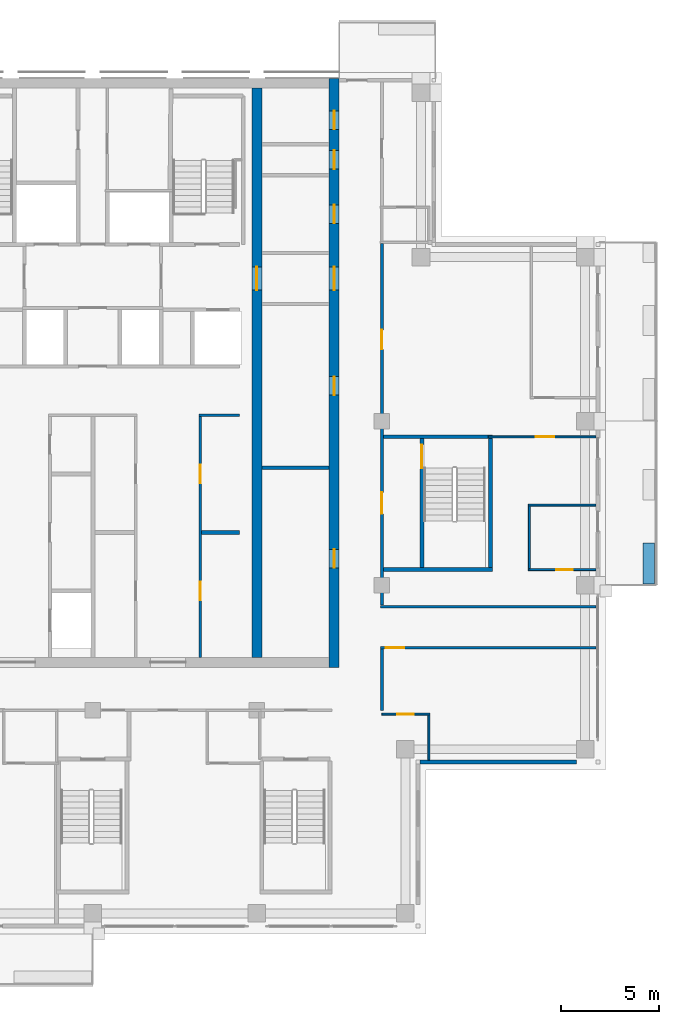
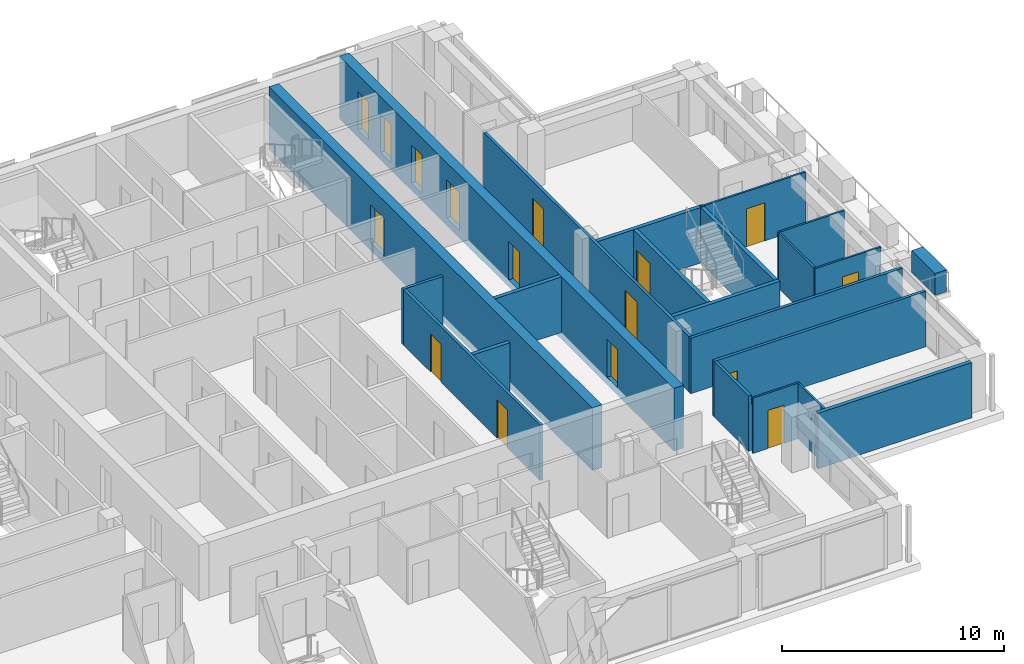
# One storey, part 9 of 16: 22 walls, 16 doors, 16 openings.
"""IFC4 building model written with IfcOpenShell, lengths in metres."""

from ifc_helpers import new_model, si_unit, direction, frame, frame_2d, origin, place, context, subcontext, project, spatial, rectangle, extrude, material, layer, layer_set, type_object, element, fill, save


model = new_model("IFC4")

# Units and contexts
model_context = context("Model", 3, precision=1e-05, world=origin(), true_north=direction((0.0, 1.0)))
body_context = subcontext(model_context, "Body", "Model", "MODEL_VIEW")
ifc_project = project(units=[si_unit("LENGTHUNIT", "METRE"), si_unit("AREAUNIT", "SQUARE_METRE"), si_unit("VOLUMEUNIT", "CUBIC_METRE"), si_unit("PLANEANGLEUNIT", "RADIAN"), si_unit("MASSUNIT", "GRAM", prefix="KILO")], contexts=[model_context])

# Site, building, storey
site_placement = place(None, origin())
site = spatial("IfcSite", under=ifc_project, at=site_placement, CompositionType="ELEMENT")
building_placement = place(site_placement, origin())
building = spatial("IfcBuilding", under=site, at=building_placement, Name="Vermilion Ogive Tower", CompositionType="ELEMENT")
storey_placement = place(building_placement, frame((0.0, 0.0, 251.050048828125)))
storey = spatial("IfcBuildingStorey", under=building, at=storey_placement, Name="L66", CompositionType="ELEMENT", Elevation=251.050048828125)

# Wall, openings, doors
ifc_material_1 = material(Name="Concrete B60", Category="concrete")
ifc_layer_1 = layer(ifc_material_1, 0.5)
ifc_layer_set_1 = layer_set([ifc_layer_1], Name="Core wall 500 B60")
wall_type_1 = type_object("IfcWallType", Name="Core wall 500 B60", PredefinedType="SHEAR", material=ifc_layer_set_1)
wall_1_placement = place(storey_placement, frame((12.35009765625, -8.39990234375, -0.400146484375), z_axis=(0.0, 0.0, 1.0), x_axis=(0.0, 1.0, 0.0)))
wall_1 = element("IfcWall", 1, at=wall_1_placement, inside=storey, type_object=wall_type_1, Name="L66-CORE-E", PredefinedType="SHEAR", context=body_context, shape_type="SweptSolid", body=[
    extrude(rectangle(XDim=30.14990234375, YDim=0.5, at=frame_2d((15.074951171875, 0.0))), origin(), (0.0, 0.0, 1.0), 3.4501953125),
])
opening_1_placement = place(wall_1_placement, frame((5.0830078125, 0.0, 0.39990234375)))
opening_1 = element("IfcOpeningElement", 2, at=opening_1_placement, cuts=wall_1, Name="Opening DAC117", PredefinedType="OPENING", context=body_context, shape_type="SweptSolid", body=[
    extrude(rectangle(XDim=0.949951171875, YDim=2.10009765625, at=frame_2d((0.47509765625, 1.050048828125))), frame((0.0, 0.260009765625, 0.0), z_axis=(0.0, -1.0, 0.0), x_axis=(1.0, 0.0, 0.0)), (0.0, 0.0, 1.0), 0.52001953125),
])
opening_2_placement = place(wall_1_placement, frame((13.932861328125, 0.0, 0.39990234375)))
opening_2 = element("IfcOpeningElement", 3, at=opening_2_placement, cuts=wall_1, Name="Opening DAC118", PredefinedType="OPENING", context=body_context, shape_type="SweptSolid", body=[
    extrude(rectangle(XDim=0.949951171875, YDim=2.10009765625, at=frame_2d((0.47509765625, 1.050048828125))), frame((0.0, 0.260009765625, 0.0), z_axis=(0.0, -1.0, 0.0), x_axis=(1.0, 0.0, 0.0)), (0.0, 0.0, 1.0), 0.52001953125),
])
opening_3_placement = place(wall_1_placement, frame((22.718994140625, 0.0, 0.39990234375)))
opening_3 = element("IfcOpeningElement", 4, at=opening_3_placement, cuts=wall_1, Name="Opening DAC119", PredefinedType="OPENING", context=body_context, shape_type="SweptSolid", body=[
    extrude(rectangle(XDim=0.949951171875, YDim=2.10009765625, at=frame_2d((0.47509765625, 1.050048828125))), frame((0.0, 0.260009765625, 0.0), z_axis=(0.0, -1.0, 0.0), x_axis=(1.0, 0.0, 0.0)), (0.0, 0.0, 1.0), 0.52001953125),
])
opening_4_placement = place(wall_1_placement, frame((25.505615234375, 0.0, 0.39990234375)))
opening_4 = element("IfcOpeningElement", 5, at=opening_4_placement, cuts=wall_1, Name="Opening DAC120", PredefinedType="OPENING", context=body_context, shape_type="SweptSolid", body=[
    extrude(rectangle(XDim=0.949951171875, YDim=2.10009765625, at=frame_2d((0.47509765625, 1.050048828125))), frame((0.0, 0.260009765625, 0.0), z_axis=(0.0, -1.0, 0.0), x_axis=(1.0, 0.0, 0.0)), (0.0, 0.0, 1.0), 0.52001953125),
])
opening_5_placement = place(wall_1_placement, frame((27.53662109375, 0.0, 0.39990234375)))
opening_5 = element("IfcOpeningElement", 6, at=opening_5_placement, cuts=wall_1, Name="Opening DAC121", PredefinedType="OPENING", context=body_context, shape_type="SweptSolid", body=[
    extrude(rectangle(XDim=0.949951171875, YDim=2.10009765625, at=frame_2d((0.47509765625, 1.050048828125))), frame((0.0, 0.260009765625, 0.0), z_axis=(0.0, -1.0, 0.0), x_axis=(1.0, 0.0, 0.0)), (0.0, 0.0, 1.0), 0.52001953125),
])
opening_6_placement = place(wall_1_placement, frame((19.300048828125, 0.0, 0.39990234375)))
opening_6 = element("IfcOpeningElement", 7, at=opening_6_placement, cuts=wall_1, Name="Opening DAL027", PredefinedType="OPENING", context=body_context, shape_type="SweptSolid", body=[
    extrude(rectangle(XDim=1.199951171875, YDim=2.10009765625, at=frame_2d((0.60009765625, 1.050048828125))), frame((0.0, 0.260009765625, 0.0), z_axis=(0.0, -1.0, 0.0), x_axis=(1.0, 0.0, 0.0)), (0.0, 0.0, 1.0), 0.52001953125),
])
ifc_material_2 = material(Name="Timber door leaf", Category="wood")
door_type_1 = type_object("IfcDoorType", Name="Link door 1200 x 2100 FD60S", OperationType="SINGLE_SWING_LEFT", PredefinedType="DOOR", material=ifc_material_2)
door_1_placement = place(opening_6_placement, origin())
door_1 = element("IfcDoor", 8, at=door_1_placement, inside=storey, type_object=door_type_1, Name="L66-CKE-XL", OperationType="SINGLE_SWING_LEFT", OverallHeight=2.10009765625, OverallWidth=1.199951171875, PredefinedType="DOOR", context=body_context, shape_type="SweptSolid", body=[
    extrude(rectangle(XDim=1.199951171875, YDim=2.10009765625, at=frame_2d((0.60009765625, 1.050048828125))), frame((0.0, 0.02490234375, 0.0), z_axis=(0.0, -1.0, 0.0), x_axis=(1.0, 0.0, 0.0)), (0.0, 0.0, 1.0), 0.050048828125),
])
fill(opening_6, door_1)
ifc_material_3 = material(Name="Timber door leaf", Category="wood")
door_type_2 = type_object("IfcDoorType", Name="Service door 950 x 2100 FD60", OperationType="SINGLE_SWING_LEFT", PredefinedType="DOOR", material=ifc_material_3)
door_2_placement = place(opening_1_placement, origin())
door_2 = element("IfcDoor", 9, at=door_2_placement, inside=storey, type_object=door_type_2, Name="L66-CKE-XR0", OperationType="SINGLE_SWING_LEFT", OverallHeight=2.10009765625, OverallWidth=0.949951171875, PredefinedType="DOOR", context=body_context, shape_type="SweptSolid", body=[
    extrude(rectangle(XDim=0.949951171875, YDim=2.10009765625, at=frame_2d((0.47509765625, 1.050048828125))), frame((0.0, 0.02490234375, 0.0), z_axis=(0.0, -1.0, 0.0), x_axis=(1.0, 0.0, 0.0)), (0.0, 0.0, 1.0), 0.050048828125),
])
fill(opening_1, door_2)
door_3_placement = place(opening_2_placement, origin())
door_3 = element("IfcDoor", 10, at=door_3_placement, inside=storey, type_object=door_type_2, Name="L66-CKE-XR1", OperationType="SINGLE_SWING_LEFT", OverallHeight=2.10009765625, OverallWidth=0.949951171875, PredefinedType="DOOR", context=body_context, shape_type="SweptSolid", body=[
    extrude(rectangle(XDim=0.949951171875, YDim=2.10009765625, at=frame_2d((0.47509765625, 1.050048828125))), frame((0.0, 0.02490234375, 0.0), z_axis=(0.0, -1.0, 0.0), x_axis=(1.0, 0.0, 0.0)), (0.0, 0.0, 1.0), 0.050048828125),
])
fill(opening_2, door_3)
door_4_placement = place(opening_3_placement, origin())
door_4 = element("IfcDoor", 11, at=door_4_placement, inside=storey, type_object=door_type_2, Name="L66-CKE-XR2", OperationType="SINGLE_SWING_LEFT", OverallHeight=2.10009765625, OverallWidth=0.949951171875, PredefinedType="DOOR", context=body_context, shape_type="SweptSolid", body=[
    extrude(rectangle(XDim=0.949951171875, YDim=2.10009765625, at=frame_2d((0.47509765625, 1.050048828125))), frame((0.0, 0.02490234375, 0.0), z_axis=(0.0, -1.0, 0.0), x_axis=(1.0, 0.0, 0.0)), (0.0, 0.0, 1.0), 0.050048828125),
])
fill(opening_3, door_4)
door_5_placement = place(opening_4_placement, origin())
door_5 = element("IfcDoor", 12, at=door_5_placement, inside=storey, type_object=door_type_2, Name="L66-CKE-XR3", OperationType="SINGLE_SWING_LEFT", OverallHeight=2.10009765625, OverallWidth=0.949951171875, PredefinedType="DOOR", context=body_context, shape_type="SweptSolid", body=[
    extrude(rectangle(XDim=0.949951171875, YDim=2.10009765625, at=frame_2d((0.47509765625, 1.050048828125))), frame((0.0, 0.02490234375, 0.0), z_axis=(0.0, -1.0, 0.0), x_axis=(1.0, 0.0, 0.0)), (0.0, 0.0, 1.0), 0.050048828125),
])
fill(opening_4, door_5)
door_6_placement = place(opening_5_placement, origin())
door_6 = element("IfcDoor", 13, at=door_6_placement, inside=storey, type_object=door_type_2, Name="L66-CKE-XR4", OperationType="SINGLE_SWING_LEFT", OverallHeight=2.10009765625, OverallWidth=0.949951171875, PredefinedType="DOOR", context=body_context, shape_type="SweptSolid", body=[
    extrude(rectangle(XDim=0.949951171875, YDim=2.10009765625, at=frame_2d((0.47509765625, 1.050048828125))), frame((0.0, 0.02490234375, 0.0), z_axis=(0.0, -1.0, 0.0), x_axis=(1.0, 0.0, 0.0)), (0.0, 0.0, 1.0), 0.050048828125),
])
fill(opening_5, door_6)

# Wall, opening, door
wall_2_placement = place(storey_placement, frame((8.39990234375, -7.89990234375, -0.400146484375), z_axis=(0.0, 0.0, 1.0), x_axis=(0.0, 1.0, 0.0)))
wall_2 = element("IfcWall", 14, at=wall_2_placement, inside=storey, type_object=wall_type_1, Name="L66-CORE-WEB2", PredefinedType="SHEAR", context=body_context, shape_type="SweptSolid", body=[
    extrude(rectangle(XDim=29.14990234375, YDim=0.5, at=frame_2d((14.574951171875, 0.0))), origin(), (0.0, 0.0, 1.0), 3.4501953125),
])
opening_7_placement = place(wall_2_placement, frame((18.800048828125, 0.0, 0.39990234375)))
opening_7 = element("IfcOpeningElement", 15, at=opening_7_placement, cuts=wall_2, Name="Opening DAO022", PredefinedType="OPENING", context=body_context, shape_type="SweptSolid", body=[
    extrude(rectangle(XDim=1.199951171875, YDim=2.10009765625, at=frame_2d((0.60009765625, 1.050048828125))), frame((0.0, 0.260009765625, 0.0), z_axis=(0.0, -1.0, 0.0), x_axis=(1.0, 0.0, 0.0)), (0.0, 0.0, 1.0), 0.52001953125),
])
door_7_placement = place(opening_7_placement, origin())
door_7 = element("IfcDoor", 16, at=door_7_placement, inside=storey, type_object=door_type_1, Name="L66-CKE-XW", OperationType="SINGLE_SWING_LEFT", OverallHeight=2.10009765625, OverallWidth=1.199951171875, PredefinedType="DOOR", context=body_context, shape_type="SweptSolid", body=[
    extrude(rectangle(XDim=1.199951171875, YDim=2.10009765625, at=frame_2d((0.60009765625, 1.050048828125))), frame((0.0, 0.02490234375, 0.0), z_axis=(0.0, -1.0, 0.0), x_axis=(1.0, 0.0, 0.0)), (0.0, 0.0, 1.0), 0.050048828125),
])
fill(opening_7, door_7)

ifc_material_4 = material(Name="Gypsum board partition on steel studs", Category="steel")
ifc_layer_2 = layer(ifc_material_4, 0.10009765625)
ifc_layer_set_2 = layer_set([ifc_layer_2], Name="Partition 100 bath")
wall_type_2 = type_object("IfcWallType", Name="Partition 100 bath", PredefinedType="PARTITIONING", material=ifc_layer_set_2)
wall_3_placement = place(storey_placement, frame((14.800048828125, -10.800048828125, 0.0), z_axis=(0.0, 0.0, 1.0), x_axis=(1.0, 0.0, 0.0)))
wall_3 = element("IfcWall", 17, at=wall_3_placement, inside=storey, type_object=wall_type_2, Name="L66-W-W007", PredefinedType="PARTITIONING", context=body_context, shape_type="SweptSolid", body=[
    extrude(rectangle(XDim=2.449951171875, YDim=0.10009765625, at=frame_2d((1.22509765625, 0.0))), origin(), (0.0, 0.0, 1.0), 3.050048828125),
])
opening_8_placement = place(wall_3_placement, frame((0.77490234375, 0.0, 0.0)))
opening_8 = element("IfcOpeningElement", 18, at=opening_8_placement, cuts=wall_3, Name="Opening D5G4013", PredefinedType="OPENING", context=body_context, shape_type="SweptSolid", body=[
    extrude(rectangle(XDim=0.85009765625, YDim=2.10009765625, at=frame_2d((0.425048828125, 1.050048828125))), frame((0.0, 0.06005859375, 0.0), z_axis=(0.0, -1.0, 0.0), x_axis=(1.0, 0.0, 0.0)), (0.0, 0.0, 1.0), 0.1201171875),
])
ifc_material_5 = material(Name="Timber door leaf", Category="wood")
door_type_3 = type_object("IfcDoorType", Name="Bath door 850 x 2100 FD30", OperationType="SINGLE_SWING_LEFT", PredefinedType="DOOR", material=ifc_material_5)
door_8_placement = place(opening_8_placement, origin())
door_8 = element("IfcDoor", 19, at=door_8_placement, inside=storey, type_object=door_type_3, Name="L66-D-D013", OperationType="SINGLE_SWING_RIGHT", OverallHeight=2.10009765625, OverallWidth=0.85009765625, PredefinedType="DOOR", context=body_context, shape_type="SweptSolid", body=[
    extrude(rectangle(XDim=0.85009765625, YDim=2.10009765625, at=frame_2d((0.425048828125, 1.050048828125))), frame((0.0, 0.02490234375, 0.0), z_axis=(0.0, -1.0, 0.0), x_axis=(1.0, 0.0, 0.0)), (0.0, 0.0, 1.0), 0.050048828125),
])
fill(opening_8, door_8)

wall_4_placement = place(storey_placement, frame((22.302001953125, -3.39990234375, 0.0), z_axis=(0.0, 0.0, 1.0), x_axis=(1.0, 0.0, 0.0)))
wall_4 = element("IfcWall", 20, at=wall_4_placement, inside=storey, type_object=wall_type_2, Name="L66-W-W021", PredefinedType="PARTITIONING", context=body_context, shape_type="SweptSolid", body=[
    extrude(rectangle(XDim=3.447998046875, YDim=0.10009765625, at=frame_2d((1.72412109375, 0.0))), origin(), (0.0, 0.0, 1.0), 3.050048828125),
])
opening_9_placement = place(wall_4_placement, frame((1.423095703125, 0.0, 0.0)))
opening_9 = element("IfcOpeningElement", 21, at=opening_9_placement, cuts=wall_4, Name="Opening D5G4017", PredefinedType="OPENING", context=body_context, shape_type="SweptSolid", body=[
    extrude(rectangle(XDim=0.85009765625, YDim=2.10009765625, at=frame_2d((0.425048828125, 1.050048828125))), frame((0.0, 0.06005859375, 0.0), z_axis=(0.0, -1.0, 0.0), x_axis=(1.0, 0.0, 0.0)), (0.0, 0.0, 1.0), 0.1201171875),
])
door_9_placement = place(opening_9_placement, origin())
door_9 = element("IfcDoor", 22, at=door_9_placement, inside=storey, type_object=door_type_3, Name="L66-D-D017", OperationType="SINGLE_SWING_LEFT", OverallHeight=2.10009765625, OverallWidth=0.85009765625, PredefinedType="DOOR", context=body_context, shape_type="SweptSolid", body=[
    extrude(rectangle(XDim=0.85009765625, YDim=2.10009765625, at=frame_2d((0.425048828125, 1.050048828125))), frame((0.0, 0.02490234375, 0.0), z_axis=(0.0, -1.0, 0.0), x_axis=(1.0, 0.0, 0.0)), (0.0, 0.0, 1.0), 0.050048828125),
])
fill(opening_9, door_9)

# Walls
wall_5_placement = place(storey_placement, frame((22.302001953125, -0.10009765625, 0.0), z_axis=(0.0, 0.0, 1.0), x_axis=(1.0, 0.0, 0.0)))
element("IfcWall", 23, at=wall_5_placement, inside=storey, type_object=wall_type_2, Name="L66-W-W023", PredefinedType="PARTITIONING", context=body_context, shape_type="SweptSolid", body=[
    extrude(rectangle(XDim=3.447998046875, YDim=0.10009765625, at=frame_2d((1.72412109375, 0.0))), origin(), (0.0, 0.0, 1.0), 3.050048828125),
])
wall_6_placement = place(storey_placement, frame((17.199951171875, -13.14990234375, 0.0), z_axis=(0.0, 0.0, 1.0), x_axis=(0.0, 1.0, 0.0)))
element("IfcWall", 24, at=wall_6_placement, inside=storey, type_object=wall_type_2, Name="L66-W-W060", PredefinedType="PARTITIONING", context=body_context, shape_type="SweptSolid", body=[
    extrude(rectangle(XDim=2.2998046875, YDim=0.10009765625, at=frame_2d((1.14990234375, 0.0))), origin(), (0.0, 0.0, 1.0), 3.050048828125),
])
wall_7_placement = place(storey_placement, frame((22.35009765625, -3.347900390625, 0.0), z_axis=(0.0, 0.0, 1.0), x_axis=(0.0, 1.0, 0.0)))
element("IfcWall", 25, at=wall_7_placement, inside=storey, type_object=wall_type_2, Name="L66-W-W063", PredefinedType="PARTITIONING", context=body_context, shape_type="SweptSolid", body=[
    extrude(rectangle(XDim=3.19580078125, YDim=0.10009765625, at=frame_2d((1.597900390625, 0.0))), origin(), (0.0, 0.0, 1.0), 3.050048828125),
])

# Wall, opening, door
ifc_material_6 = material(Name="Gypsum board partition on steel studs", Category="steel")
ifc_layer_3 = layer(ifc_material_6, 0.10009765625)
ifc_layer_set_3 = layer_set([ifc_layer_3], Name="Partition 100 inner")
wall_type_3 = type_object("IfcWallType", Name="Partition 100 inner", PredefinedType="PARTITIONING", material=ifc_layer_set_3)
wall_8_placement = place(storey_placement, frame((20.25, 3.39990234375, 0.0), z_axis=(0.0, 0.0, 1.0), x_axis=(1.0, 0.0, 0.0)))
wall_8 = element("IfcWall", 26, at=wall_8_placement, inside=storey, type_object=wall_type_3, Name="L66-W-W027", PredefinedType="PARTITIONING", context=body_context, shape_type="SweptSolid", body=[
    extrude(rectangle(XDim=5.5, YDim=0.10009765625, at=frame_2d((2.75, 0.0))), origin(), (0.0, 0.0, 1.0), 3.050048828125),
])
opening_10_placement = place(wall_8_placement, frame((2.425048828125, 0.0, 0.0)))
opening_10 = element("IfcOpeningElement", 27, at=opening_10_placement, cuts=wall_8, Name="Opening D5G4016", PredefinedType="OPENING", context=body_context, shape_type="SweptSolid", body=[
    extrude(rectangle(XDim=0.949951171875, YDim=2.10009765625, at=frame_2d((0.47509765625, 1.050048828125))), frame((0.0, 0.06005859375, 0.0), z_axis=(0.0, -1.0, 0.0), x_axis=(1.0, 0.0, 0.0)), (0.0, 0.0, 1.0), 0.1201171875),
])
ifc_material_7 = material(Name="Timber door leaf", Category="wood")
door_type_4 = type_object("IfcDoorType", Name="Inner door 950 x 2100 FD30", OperationType="SINGLE_SWING_LEFT", PredefinedType="DOOR", material=ifc_material_7)
door_10_placement = place(opening_10_placement, origin())
door_10 = element("IfcDoor", 28, at=door_10_placement, inside=storey, type_object=door_type_4, Name="L66-D-D016", OperationType="SINGLE_SWING_LEFT", OverallHeight=2.10009765625, OverallWidth=0.949951171875, PredefinedType="DOOR", context=body_context, shape_type="SweptSolid", body=[
    extrude(rectangle(XDim=0.949951171875, YDim=2.10009765625, at=frame_2d((0.47509765625, 1.050048828125))), frame((0.0, 0.02490234375, 0.0), z_axis=(0.0, -1.0, 0.0), x_axis=(1.0, 0.0, 0.0)), (0.0, 0.0, 1.0), 0.050048828125),
])
fill(opening_10, door_10)

ifc_material_8 = material(Name="Gypsum board partition on steel studs", Category="steel")
ifc_layer_4 = layer(ifc_material_8, 0.14990234375)
ifc_layer_set_4 = layer_set([ifc_layer_4], Name="Partition 150 corridor")
wall_type_4 = type_object("IfcWallType", Name="Partition 150 corridor", PredefinedType="PARTITIONING", material=ifc_layer_set_4)
wall_9_placement = place(storey_placement, frame((14.72509765625, -7.39990234375, 0.0), z_axis=(0.0, 0.0, 1.0), x_axis=(1.0, 0.0, 0.0)))
wall_9 = element("IfcWall", 29, at=wall_9_placement, inside=storey, type_object=wall_type_4, Name="L66-W-W015", PredefinedType="PARTITIONING", context=body_context, shape_type="SweptSolid", body=[
    extrude(rectangle(XDim=11.02490234375, YDim=0.14990234375, at=frame_2d((5.512451171875, 0.0))), origin(), (0.0, 0.0, 1.0), 3.050048828125),
])
opening_11_placement = place(wall_9_placement, frame((0.27490234375, 0.0, 0.0)))
opening_11 = element("IfcOpeningElement", 30, at=opening_11_placement, cuts=wall_9, Name="Opening D5G4012", PredefinedType="OPENING", context=body_context, shape_type="SweptSolid", body=[
    extrude(rectangle(XDim=0.949951171875, YDim=2.10009765625, at=frame_2d((0.47509765625, 1.050048828125))), frame((0.0, 0.0849609375, 0.0), z_axis=(0.0, -1.0, 0.0), x_axis=(1.0, 0.0, 0.0)), (0.0, 0.0, 1.0), 0.169921875),
])
ifc_material_9 = material(Name="Timber door leaf", Category="wood")
door_type_5 = type_object("IfcDoorType", Name="Unit door 950 x 2100 FD30S", OperationType="SINGLE_SWING_LEFT", PredefinedType="DOOR", material=ifc_material_9)
door_11_placement = place(opening_11_placement, origin())
door_11 = element("IfcDoor", 31, at=door_11_placement, inside=storey, type_object=door_type_5, Name="L66-D-D012", OperationType="SINGLE_SWING_RIGHT", OverallHeight=2.10009765625, OverallWidth=0.949951171875, PredefinedType="DOOR", context=body_context, shape_type="SweptSolid", body=[
    extrude(rectangle(XDim=0.949951171875, YDim=2.10009765625, at=frame_2d((0.47509765625, 1.050048828125))), frame((0.0, 0.02490234375, 0.0), z_axis=(0.0, -1.0, 0.0), x_axis=(1.0, 0.0, 0.0)), (0.0, 0.0, 1.0), 0.050048828125),
])
fill(opening_11, door_11)

# Walls
wall_10_placement = place(storey_placement, frame((14.72705078125, -5.300048828125, 0.0), z_axis=(0.0, 0.0, 1.0), x_axis=(1.0, 0.0, 0.0)))
element("IfcWall", 32, at=wall_10_placement, inside=storey, type_object=wall_type_4, Name="L66-W-W017", PredefinedType="PARTITIONING", context=body_context, shape_type="SweptSolid", body=[
    extrude(rectangle(XDim=11.02294921875, YDim=0.14990234375, at=frame_2d((5.511474609375, 0.0))), origin(), (0.0, 0.0, 1.0), 3.050048828125),
])
wall_11_placement = place(storey_placement, frame((14.800048828125, -10.60009765625, 0.0), z_axis=(0.0, 0.0, 1.0), x_axis=(0.0, 1.0, 0.0)))
element("IfcWall", 33, at=wall_11_placement, inside=storey, type_object=wall_type_4, Name="L66-W-W055", PredefinedType="PARTITIONING", context=body_context, shape_type="SweptSolid", body=[
    extrude(rectangle(XDim=3.125, YDim=0.14990234375, at=frame_2d((1.5625, 0.0))), origin(), (0.0, 0.0, 1.0), 3.050048828125),
])

# Wall, openings, doors
wall_12_placement = place(storey_placement, frame((14.800048828125, -5.222900390625, 0.0), z_axis=(0.0, 0.0, 1.0), x_axis=(0.0, 1.0, 0.0)))
wall_12 = element("IfcWall", 34, at=wall_12_placement, inside=storey, type_object=wall_type_4, Name="L66-W-W056", PredefinedType="PARTITIONING", context=body_context, shape_type="SweptSolid", body=[
    extrude(rectangle(XDim=18.52294921875, YDim=0.14990234375, at=frame_2d((9.261474609375, 0.0))), origin(), (0.0, 0.0, 1.0), 3.050048828125),
])
opening_12_placement = place(wall_12_placement, frame((13.097900390625, 0.0, 0.0)))
opening_12 = element("IfcOpeningElement", 35, at=opening_12_placement, cuts=wall_12, Name="Opening D5G4015", PredefinedType="OPENING", context=body_context, shape_type="SweptSolid", body=[
    extrude(rectangle(XDim=1.0, YDim=2.10009765625, at=frame_2d((0.5, 1.050048828125))), frame((0.0, 0.0849609375, 0.0), z_axis=(0.0, -1.0, 0.0), x_axis=(1.0, 0.0, 0.0)), (0.0, 0.0, 1.0), 0.169921875),
])
opening_13_placement = place(wall_12_placement, frame((4.6728515625, 0.0, 0.0)))
opening_13 = element("IfcOpeningElement", 36, at=opening_13_placement, cuts=wall_12, Name="Opening D5G4026", PredefinedType="OPENING", context=body_context, shape_type="SweptSolid", body=[
    extrude(rectangle(XDim=1.10009765625, YDim=2.10009765625, at=frame_2d((0.550048828125, 1.050048828125))), frame((0.0, 0.0849609375, 0.0), z_axis=(0.0, -1.0, 0.0), x_axis=(1.0, 0.0, 0.0)), (0.0, 0.0, 1.0), 0.169921875),
])
ifc_material_10 = material(Name="Timber door leaf", Category="wood")
door_type_6 = type_object("IfcDoorType", Name="Stair door 1100 x 2100 FD60S", OperationType="SINGLE_SWING_LEFT", PredefinedType="DOOR", material=ifc_material_10)
door_12_placement = place(opening_13_placement, origin())
door_12 = element("IfcDoor", 37, at=door_12_placement, inside=storey, type_object=door_type_6, Name="L66-D-D026", OperationType="SINGLE_SWING_RIGHT", OverallHeight=2.10009765625, OverallWidth=1.10009765625, PredefinedType="DOOR", context=body_context, shape_type="SweptSolid", body=[
    extrude(rectangle(XDim=1.10009765625, YDim=2.10009765625, at=frame_2d((0.550048828125, 1.050048828125))), frame((0.0, 0.02490234375, 0.0), z_axis=(0.0, -1.0, 0.0), x_axis=(1.0, 0.0, 0.0)), (0.0, 0.0, 1.0), 0.050048828125),
])
fill(opening_13, door_12)
ifc_material_11 = material(Name="Timber door leaf", Category="wood")
door_type_7 = type_object("IfcDoorType", Name="Unit door 1000 x 2100 FD30S", OperationType="SINGLE_SWING_LEFT", PredefinedType="DOOR", material=ifc_material_11)
door_13_placement = place(opening_12_placement, origin())
door_13 = element("IfcDoor", 38, at=door_13_placement, inside=storey, type_object=door_type_7, Name="L66-D-D015", OperationType="SINGLE_SWING_RIGHT", OverallHeight=2.10009765625, OverallWidth=1.0, PredefinedType="DOOR", context=body_context, shape_type="SweptSolid", body=[
    extrude(rectangle(XDim=1.0, YDim=2.10009765625, at=frame_2d((0.5, 1.050048828125))), frame((0.0, 0.02490234375, 0.0), z_axis=(0.0, -1.0, 0.0), x_axis=(1.0, 0.0, 0.0)), (0.0, 0.0, 1.0), 0.050048828125),
])
fill(opening_12, door_13)

# Wall
wall_13_placement = place(storey_placement, frame((5.425048828125, 4.5, 0.0), z_axis=(0.0, 0.0, 1.0), x_axis=(1.0, 0.0, 0.0)))
element("IfcWall", 39, at=wall_13_placement, inside=storey, type_object=wall_type_4, Name="L66-CK-W-W010", PredefinedType="PARTITIONING", context=body_context, shape_type="SweptSolid", body=[
    extrude(rectangle(XDim=2.074951171875, YDim=0.14990234375, at=frame_2d((1.03759765625, 0.0))), origin(), (0.0, 0.0, 1.0), 3.050048828125),
])

# Wall, openings, doors
wall_14_placement = place(storey_placement, frame((5.5, -7.89892578125, 0.0), z_axis=(0.0, 0.0, 1.0), x_axis=(0.0, 1.0, 0.0)))
wall_14 = element("IfcWall", 40, at=wall_14_placement, inside=storey, type_object=wall_type_4, Name="L66-CK-W-W038", PredefinedType="PARTITIONING", context=body_context, shape_type="SweptSolid", body=[
    extrude(rectangle(XDim=12.323974609375, YDim=0.14990234375, at=frame_2d((6.162109375, 0.0))), origin(), (0.0, 0.0, 1.0), 3.050048828125),
])
opening_14_placement = place(wall_14_placement, frame((2.923828125, 0.0, 0.0)))
opening_14 = element("IfcOpeningElement", 41, at=opening_14_placement, cuts=wall_14, Name="Opening DAA618", PredefinedType="OPENING", context=body_context, shape_type="SweptSolid", body=[
    extrude(rectangle(XDim=0.949951171875, YDim=2.10009765625, at=frame_2d((0.47509765625, 1.050048828125))), frame((0.0, 0.0849609375, 0.0), z_axis=(0.0, -1.0, 0.0), x_axis=(1.0, 0.0, 0.0)), (0.0, 0.0, 1.0), 0.169921875),
])
opening_15_placement = place(wall_14_placement, frame((8.923828125, 0.0, 0.0)))
opening_15 = element("IfcOpeningElement", 42, at=opening_15_placement, cuts=wall_14, Name="Opening DAA619", PredefinedType="OPENING", context=body_context, shape_type="SweptSolid", body=[
    extrude(rectangle(XDim=0.949951171875, YDim=2.10009765625, at=frame_2d((0.47509765625, 1.050048828125))), frame((0.0, 0.0849609375, 0.0), z_axis=(0.0, -1.0, 0.0), x_axis=(1.0, 0.0, 0.0)), (0.0, 0.0, 1.0), 0.169921875),
])
door_14_placement = place(opening_14_placement, origin())
door_14 = element("IfcDoor", 43, at=door_14_placement, inside=storey, type_object=door_type_2, Name="L66-CK-D-D010", OperationType="SINGLE_SWING_LEFT", OverallHeight=2.10009765625, OverallWidth=0.949951171875, PredefinedType="DOOR", context=body_context, shape_type="SweptSolid", body=[
    extrude(rectangle(XDim=0.949951171875, YDim=2.10009765625, at=frame_2d((0.47509765625, 1.050048828125))), frame((0.0, 0.02490234375, 0.0), z_axis=(0.0, -1.0, 0.0), x_axis=(1.0, 0.0, 0.0)), (0.0, 0.0, 1.0), 0.050048828125),
])
fill(opening_14, door_14)
door_15_placement = place(opening_15_placement, origin())
door_15 = element("IfcDoor", 44, at=door_15_placement, inside=storey, type_object=door_type_2, Name="L66-CK-D-D011", OperationType="SINGLE_SWING_LEFT", OverallHeight=2.10009765625, OverallWidth=0.949951171875, PredefinedType="DOOR", context=body_context, shape_type="SweptSolid", body=[
    extrude(rectangle(XDim=0.949951171875, YDim=2.10009765625, at=frame_2d((0.47509765625, 1.050048828125))), frame((0.0, 0.02490234375, 0.0), z_axis=(0.0, -1.0, 0.0), x_axis=(1.0, 0.0, 0.0)), (0.0, 0.0, 1.0), 0.050048828125),
])
fill(opening_15, door_15)

# Walls
ifc_material_12 = material(Name="Gypsum board partition on steel studs", Category="steel")
ifc_layer_5 = layer(ifc_material_12, 0.199951171875)
ifc_layer_set_5 = layer_set([ifc_layer_5], Name="Partition 200 party")
wall_type_5 = type_object("IfcWallType", Name="Partition 200 party", PredefinedType="PARTITIONING", material=ifc_layer_set_5)
wall_15_placement = place(storey_placement, frame((5.574951171875, -1.5, 0.0), z_axis=(0.0, 0.0, 1.0), x_axis=(1.0, 0.0, 0.0)))
element("IfcWall", 45, at=wall_15_placement, inside=storey, type_object=wall_type_5, Name="L66-CK-W-W005", PredefinedType="PARTITIONING", context=body_context, shape_type="SweptSolid", body=[
    extrude(rectangle(XDim=1.925048828125, YDim=0.199951171875, at=frame_2d((0.96240234375, 0.0))), origin(), (0.0, 0.0, 1.0), 3.050048828125),
])
wall_16_placement = place(storey_placement, frame((8.65087890625, 1.81591796875, 0.0), z_axis=(0.0, 0.0, 1.0), x_axis=(1.0, 0.0, 0.0)))
element("IfcWall", 46, at=wall_16_placement, inside=storey, type_object=wall_type_5, Name="L66-CKE-W-W001", PredefinedType="PARTITIONING", context=body_context, shape_type="SweptSolid", body=[
    extrude(rectangle(XDim=3.4482421875, YDim=0.199951171875, at=frame_2d((1.72412109375, 0.0))), origin(), (0.0, 0.0, 1.0), 3.050048828125),
])
ifc_material_13 = material(Name="Concrete B60", Category="concrete")
ifc_layer_6 = layer(ifc_material_13, 0.199951171875)
ifc_layer_set_6 = layer_set([ifc_layer_6], Name="Stair shaft wall 200 Concrete B60")
wall_type_6 = type_object("IfcWallType", Name="Stair shaft wall 200 Concrete B60", PredefinedType="SOLIDWALL", material=ifc_layer_set_6)
wall_17_placement = place(storey_placement, frame((14.876953125, -3.39990234375, 0.0), z_axis=(0.0, 0.0, 1.0), x_axis=(1.0, 0.0, 0.0)))
element("IfcWall", 47, at=wall_17_placement, inside=storey, type_object=wall_type_6, Name="L66-W-W020", PredefinedType="SOLIDWALL", context=body_context, shape_type="SweptSolid", body=[
    extrude(rectangle(XDim=5.571044921875, YDim=0.199951171875, at=frame_2d((2.78564453125, 0.0))), origin(), (0.0, 0.0, 1.0), 3.050048828125),
])
wall_18_placement = place(storey_placement, frame((14.875, 3.39990234375, 0.0), z_axis=(0.0, 0.0, 1.0), x_axis=(1.0, 0.0, 0.0)))
element("IfcWall", 48, at=wall_18_placement, inside=storey, type_object=wall_type_6, Name="L66-W-W026", PredefinedType="SOLIDWALL", context=body_context, shape_type="SweptSolid", body=[
    extrude(rectangle(XDim=5.574951171875, YDim=0.199951171875, at=frame_2d((2.78759765625, 0.0))), origin(), (0.0, 0.0, 1.0), 3.050048828125),
])

# Wall, opening, door
wall_19_placement = place(storey_placement, frame((16.85009765625, -3.300048828125, 0.0), z_axis=(0.0, 0.0, 1.0), x_axis=(0.0, 1.0, 0.0)))
wall_19 = element("IfcWall", 49, at=wall_19_placement, inside=storey, type_object=wall_type_6, Name="L66-W-W059", PredefinedType="SOLIDWALL", context=body_context, shape_type="SweptSolid", body=[
    extrude(rectangle(XDim=6.60009765625, YDim=0.199951171875, at=frame_2d((3.300048828125, 0.0))), origin(), (0.0, 0.0, 1.0), 3.050048828125),
])
opening_16_placement = place(wall_19_placement, frame((5.10009765625, 0.0, 0.0)))
opening_16 = element("IfcOpeningElement", 50, at=opening_16_placement, cuts=wall_19, Name="Opening D5G4027", PredefinedType="OPENING", context=body_context, shape_type="SweptSolid", body=[
    extrude(rectangle(XDim=1.199951171875, YDim=2.10009765625, at=frame_2d((0.60009765625, 1.050048828125))), frame((0.0, 0.10986328125, 0.0), z_axis=(0.0, -1.0, 0.0), x_axis=(1.0, 0.0, 0.0)), (0.0, 0.0, 1.0), 0.219970703125),
])
ifc_material_14 = material(Name="Timber door leaf", Category="wood")
door_type_8 = type_object("IfcDoorType", Name="Stair door 1200 x 2100 FD60S", OperationType="SINGLE_SWING_LEFT", PredefinedType="DOOR", material=ifc_material_14)
door_16_placement = place(opening_16_placement, origin())
door_16 = element("IfcDoor", 51, at=door_16_placement, inside=storey, type_object=door_type_8, Name="L66-D-D027", OperationType="SINGLE_SWING_LEFT", OverallHeight=2.10009765625, OverallWidth=1.199951171875, PredefinedType="DOOR", context=body_context, shape_type="SweptSolid", body=[
    extrude(rectangle(XDim=1.199951171875, YDim=2.10009765625, at=frame_2d((0.60009765625, 1.050048828125))), frame((0.0, 0.02490234375, 0.0), z_axis=(0.0, -1.0, 0.0), x_axis=(1.0, 0.0, 0.0)), (0.0, 0.0, 1.0), 0.050048828125),
])
fill(opening_16, door_16)

# Walls
wall_20_placement = place(storey_placement, frame((20.35009765625, -3.298095703125, 0.0), z_axis=(0.0, 0.0, 1.0), x_axis=(0.0, 1.0, 0.0)))
element("IfcWall", 52, at=wall_20_placement, inside=storey, type_object=wall_type_6, Name="L66-W-W062", PredefinedType="SOLIDWALL", context=body_context, shape_type="SweptSolid", body=[
    extrude(rectangle(XDim=6.59814453125, YDim=0.199951171875, at=frame_2d((3.299072265625, 0.0))), origin(), (0.0, 0.0, 1.0), 3.050048828125),
])
ifc_material_15 = material(Name="Concrete B40", Category="concrete")
ifc_layer_7 = layer(ifc_material_15, 0.60009765625)
ifc_layer_set_7 = layer_set([ifc_layer_7], Name="Structural planter")
wall_type_7 = type_object("IfcWallType", Name="Structural planter", PredefinedType="USERDEFINED", material=ifc_layer_set_7)
wall_21_placement = place(storey_placement, frame((28.45361328125, -4.139892578125, -0.0400390625), z_axis=(0.0, 0.0, 1.0), x_axis=(0.0, 1.0, 0.0)))
element("IfcWall", 53, at=wall_21_placement, inside=storey, type_object=wall_type_7, Name="Planter E02A1", ObjectType="PLANTER", PredefinedType="USERDEFINED", context=body_context, shape_type="SweptSolid", body=[
    extrude(rectangle(XDim=2.114990234375, YDim=0.60009765625, at=frame_2d((1.0576171875, 0.0))), origin(), (0.0, 0.0, 1.0), 1.199951171875),
])
ifc_material_16 = material(Name="Aluminium window wall framing", Category="aluminium")
ifc_layer_8 = layer(ifc_material_16, 0.199951171875)
ifc_layer_set_8 = layer_set([ifc_layer_8], Name="Window wall")
wall_type_8 = type_object("IfcWallType", Name="Window wall", PredefinedType="STANDARD", material=ifc_layer_set_8)
wall_22_placement = place(storey_placement, frame((16.75, -13.25, 0.0), z_axis=(0.0, 0.0, 1.0), x_axis=(1.0, 0.0, 0.0)))
element("IfcWall", 54, at=wall_22_placement, inside=storey, type_object=wall_type_8, Name="Window wall X21", PredefinedType="STANDARD", context=body_context, shape_type="SweptSolid", body=[
    extrude(rectangle(XDim=8.0, YDim=0.199951171875, at=frame_2d((4.0, 0.0))), origin(), (0.0, 0.0, 1.0), 3.050048828125),
])

save(model, "model.ifc")
